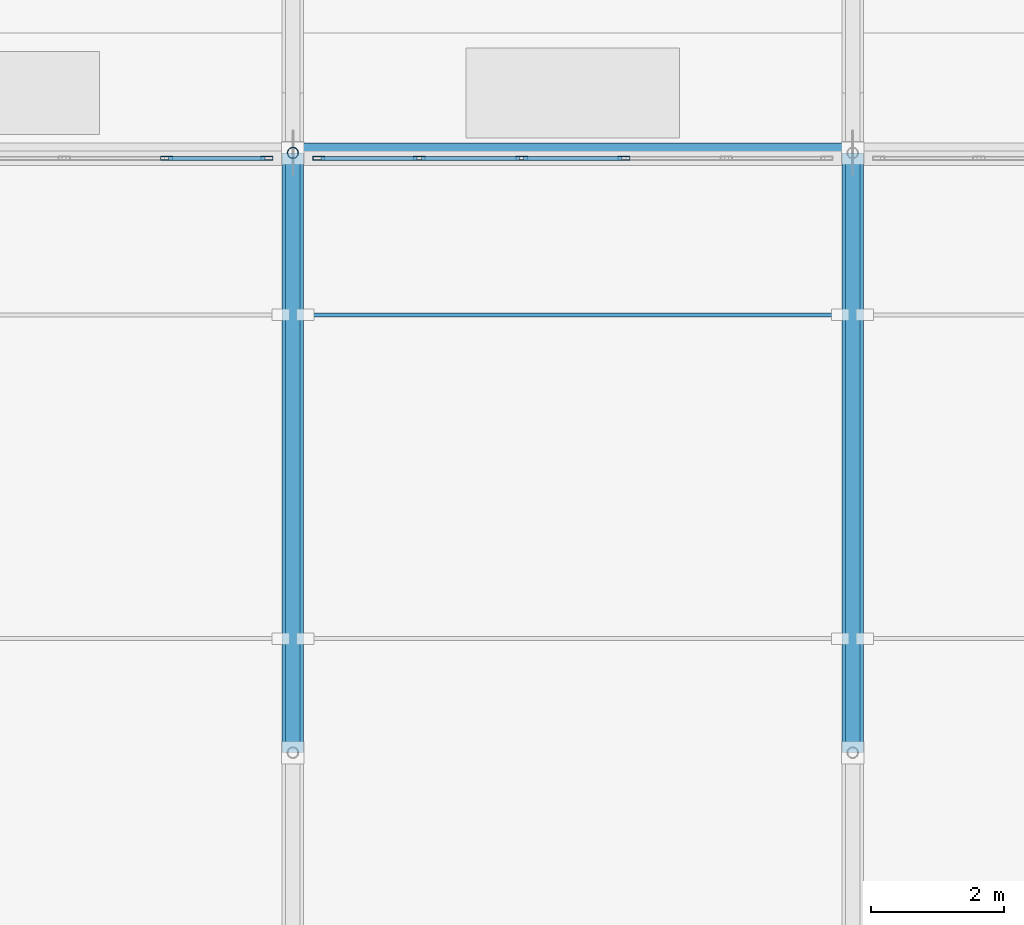
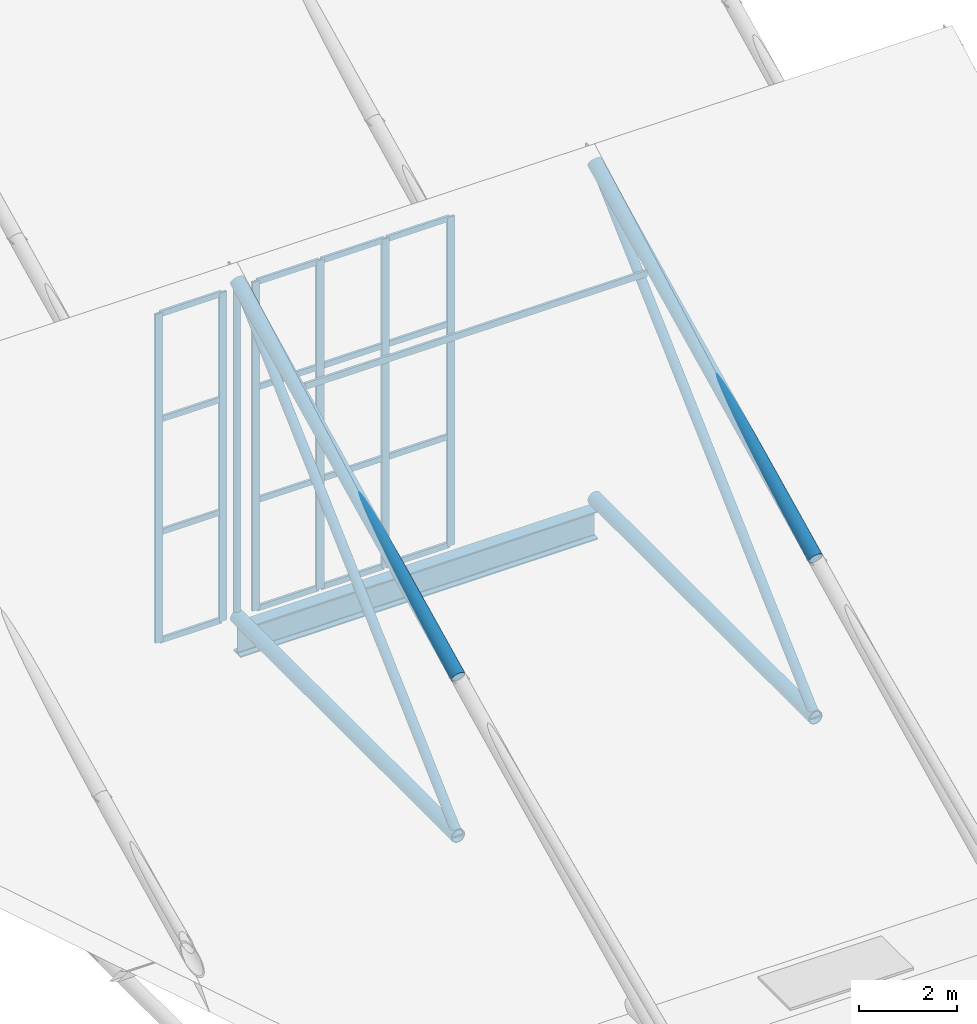
# One storey, part 15 of 38: 30 members, 1 beam, 2 elements without a shape of their own.
"""IFC4 building model written with IfcOpenShell, lengths in metres."""

from ifc_helpers import new_model, si_unit, direction, frame, origin, origin_2d, place, context, subcontext, project, spatial, hollow_rectangle, hollow_circle, i_section, extrude, material, material_profile, profile_set, type_object, element, aggregate, save


model = new_model("IFC4")

# Units and contexts
model_context = context("Model", 3, precision=1e-05, world=origin(), true_north=direction((0.0, 1.0)))
body_context = subcontext(model_context, "Body", "Model", "MODEL_VIEW")
ifc_project = project(units=[si_unit("LENGTHUNIT", "METRE"), si_unit("AREAUNIT", "SQUARE_METRE"), si_unit("VOLUMEUNIT", "CUBIC_METRE"), si_unit("PLANEANGLEUNIT", "RADIAN"), si_unit("MASSUNIT", "GRAM", prefix="KILO")], contexts=[model_context])

# Site, building, storey
site_placement = place(None, origin())
site = spatial("IfcSite", under=ifc_project, at=site_placement, CompositionType="ELEMENT")
building_placement = place(site_placement, origin())
building = spatial("IfcBuilding", under=site, at=building_placement, Name="Veltarok Museum of Natural Sciences", CompositionType="ELEMENT")
storey_placement = place(building_placement, frame((0.0, 0.0, 31.199951171875)))
storey = spatial("IfcBuildingStorey", under=building, at=storey_placement, Name="RF", CompositionType="ELEMENT", Elevation=31.199951171875)

# Beam
ifc_material_1 = material(Name="Steel S355J2", Category="steel")
ifc_material_profile_1 = material_profile(ifc_material_1, i_section(OverallWidth=0.300048828125, OverallDepth=0.699951171875, WebThickness=0.01708984375, FlangeThickness=0.031982421875, FilletRadius=0.027099609375, at=origin_2d()), Name="HEB 700")
ifc_profile_set_1 = profile_set([ifc_material_profile_1], Name="Steel S355J2")
beam_type = type_object("IfcBeamType", Name="Long-Span Hall Girder HEB 700", PredefinedType="BEAM", material=ifc_profile_set_1)
beam_placement = place(storey_placement, frame((82.0, 54.0, -6.389892578125), z_axis=(1.0, 0.0, 0.0), x_axis=(0.0, 1.0, 0.0)))
element("IfcBeam", 1, at=beam_placement, inside=storey, type_object=beam_type, Name="Sawtooth Valley Girder 10-11 Y=54.0", PredefinedType="BEAM", context=body_context, shape_type="SweptSolid", body=[
    extrude(i_section(OverallWidth=0.300048828125, OverallDepth=0.699951171875, WebThickness=0.01708984375, FlangeThickness=0.031982421875, FilletRadius=0.027099609375, at=origin_2d()), origin(), (0.0, 0.0, 1.0), 8.39990234375),
])

# Curtain wall, members
ifc_material_2 = material(Name="Low-iron triple insulated glass", Category="glass")
curtain_wall_type = type_object("IfcCurtainWallType", Name="Curtain Wall System CW-SAW-M1-768x817 (Sawtooth North Clerestory M1 768x817cm)", PredefinedType="NOTDEFINED", material=ifc_material_2)
curtain_wall_1_placement = place(storey_placement, origin())
curtain_wall_1 = element("IfcCurtainWall", 2, at=curtain_wall_1_placement, inside=storey, type_object=curtain_wall_type, Name="Curtain Wall CW-SAW-M1-768x817 CW-SAW-0080", PredefinedType="NOTDEFINED")
ifc_material_3 = material(Name="Thermally broken anodised aluminium", Category="aluminium")
ifc_material_profile_2 = material_profile(ifc_material_3, hollow_rectangle(XDim=0.06005859375, YDim=0.179931640625, WallThickness=0.006103515625, at=origin_2d()), Name="CW MULLION 60x180x6")
ifc_profile_set_2 = profile_set([ifc_material_profile_2], Name="Thermally broken anodised aluminium")
member_type_1 = type_object("IfcMemberType", Name="Sawtooth Clerestory Mullion 60x180x6", PredefinedType="MULLION", material=ifc_profile_set_2)
member_1_placement = place(storey_placement, frame((81.610107421875, 53.919921875, -5.719970703125), z_axis=(0.0, 0.0, 1.0), x_axis=(0.0, -1.0, 0.0)))
member_1 = element("IfcMember", 3, at=member_1_placement, type_object=member_type_1, Name="CW-SAW-M1-768x817 mullion 1", PredefinedType="MULLION", context=body_context, shape_type="SweptSolid", body=[
    extrude(hollow_rectangle(XDim=0.06005859375, YDim=0.179931640625, WallThickness=0.006103515625, at=origin_2d()), origin(), (0.0, 0.0, 1.0), 8.169921875),
])
member_2_placement = place(storey_placement, frame((80.10400390625, 53.919921875, -5.719970703125), z_axis=(0.0, 0.0, 1.0), x_axis=(0.0, -1.0, 0.0)))
member_2 = element("IfcMember", 4, at=member_2_placement, type_object=member_type_1, Name="CW-SAW-M1-768x817 mullion 2", PredefinedType="MULLION", context=body_context, shape_type="SweptSolid", body=[
    extrude(hollow_rectangle(XDim=0.06005859375, YDim=0.179931640625, WallThickness=0.006103515625, at=origin_2d()), origin(), (0.0, 0.0, 1.0), 8.169921875),
])

curtain_wall_2_placement = place(storey_placement, origin())
curtain_wall_2 = element("IfcCurtainWall", 5, at=curtain_wall_2_placement, inside=storey, type_object=curtain_wall_type, Name="Curtain Wall CW-SAW-M1-768x817 CW-SAW-0082", PredefinedType="NOTDEFINED")
member_3_placement = place(storey_placement, frame((86.968017578125, 53.919921875, -5.719970703125), z_axis=(0.0, 0.0, 1.0), x_axis=(0.0, -1.0, 0.0)))
member_3 = element("IfcMember", 6, at=member_3_placement, type_object=member_type_1, Name="CW-SAW-M1-768x817 mullion 3", PredefinedType="MULLION", context=body_context, shape_type="SweptSolid", body=[
    extrude(hollow_rectangle(XDim=0.06005859375, YDim=0.179931640625, WallThickness=0.006103515625, at=origin_2d()), origin(), (0.0, 0.0, 1.0), 8.169921875),
])
member_4_placement = place(storey_placement, frame((85.431884765625, 53.919921875, -5.719970703125), z_axis=(0.0, 0.0, 1.0), x_axis=(0.0, -1.0, 0.0)))
member_4 = element("IfcMember", 7, at=member_4_placement, type_object=member_type_1, Name="CW-SAW-M1-768x817 mullion 4", PredefinedType="MULLION", context=body_context, shape_type="SweptSolid", body=[
    extrude(hollow_rectangle(XDim=0.06005859375, YDim=0.179931640625, WallThickness=0.006103515625, at=origin_2d()), origin(), (0.0, 0.0, 1.0), 8.169921875),
])
member_5_placement = place(storey_placement, frame((83.89599609375, 53.919921875, -5.719970703125), z_axis=(0.0, 0.0, 1.0), x_axis=(0.0, -1.0, 0.0)))
member_5 = element("IfcMember", 8, at=member_5_placement, type_object=member_type_1, Name="CW-SAW-M1-768x817 mullion 5", PredefinedType="MULLION", context=body_context, shape_type="SweptSolid", body=[
    extrude(hollow_rectangle(XDim=0.06005859375, YDim=0.179931640625, WallThickness=0.006103515625, at=origin_2d()), origin(), (0.0, 0.0, 1.0), 8.169921875),
])
member_6_placement = place(storey_placement, frame((82.389892578125, 53.919921875, -5.719970703125), z_axis=(0.0, 0.0, 1.0), x_axis=(0.0, -1.0, 0.0)))
member_6 = element("IfcMember", 9, at=member_6_placement, type_object=member_type_1, Name="CW-SAW-M1-768x817 mullion 6", PredefinedType="MULLION", context=body_context, shape_type="SweptSolid", body=[
    extrude(hollow_rectangle(XDim=0.06005859375, YDim=0.179931640625, WallThickness=0.006103515625, at=origin_2d()), origin(), (0.0, 0.0, 1.0), 8.169921875),
])

# Member
ifc_material_profile_3 = material_profile(ifc_material_3, hollow_rectangle(XDim=0.06005859375, YDim=0.139892578125, WallThickness=0.0048828125, at=origin_2d()), Name="CW TRANSOM 60x140x5")
ifc_profile_set_3 = profile_set([ifc_material_profile_3], Name="Thermally broken anodised aluminium")
member_type_2 = type_object("IfcMemberType", Name="Sawtooth Clerestory Transom 60x140x5", PredefinedType="USERDEFINED", material=ifc_profile_set_3)
member_7_placement = place(storey_placement, frame((81.580078125, 53.919921875, -5.68994140625), z_axis=(-1.0, 0.0, 0.0), x_axis=(0.0, -1.0, 0.0)))
member_7 = element("IfcMember", 10, at=member_7_placement, type_object=member_type_2, Name="CW-SAW-M1-768x817 transom 1.1", ObjectType="TRANSOM", PredefinedType="USERDEFINED", context=body_context, shape_type="SweptSolid", body=[
    extrude(hollow_rectangle(XDim=0.06005859375, YDim=0.139892578125, WallThickness=0.0048828125, at=origin_2d()), origin(), (0.0, 0.0, 1.0), 1.446044921875),
])

member_8_placement = place(storey_placement, frame((81.580078125, 53.919921875, -3.0), z_axis=(-1.0, 0.0, 0.0), x_axis=(0.0, -1.0, 0.0)))
member_8 = element("IfcMember", 11, at=member_8_placement, type_object=member_type_2, Name="CW-SAW-M1-768x817 transom 1.2", ObjectType="TRANSOM", PredefinedType="USERDEFINED", context=body_context, shape_type="SweptSolid", body=[
    extrude(hollow_rectangle(XDim=0.06005859375, YDim=0.139892578125, WallThickness=0.0048828125, at=origin_2d()), origin(), (0.0, 0.0, 1.0), 1.446044921875),
])

member_9_placement = place(storey_placement, frame((81.580078125, 53.919921875, -0.199951171875), z_axis=(-1.0, 0.0, 0.0), x_axis=(0.0, -1.0, 0.0)))
member_9 = element("IfcMember", 12, at=member_9_placement, type_object=member_type_2, Name="CW-SAW-M1-768x817 transom 1.3", ObjectType="TRANSOM", PredefinedType="USERDEFINED", context=body_context, shape_type="SweptSolid", body=[
    extrude(hollow_rectangle(XDim=0.06005859375, YDim=0.139892578125, WallThickness=0.0048828125, at=origin_2d()), origin(), (0.0, 0.0, 1.0), 1.446044921875),
])

member_10_placement = place(storey_placement, frame((81.580078125, 53.919921875, 2.420166015625), z_axis=(-1.0, 0.0, 0.0), x_axis=(0.0, -1.0, 0.0)))
member_10 = element("IfcMember", 13, at=member_10_placement, type_object=member_type_2, Name="CW-SAW-M1-768x817 transom 1.4", ObjectType="TRANSOM", PredefinedType="USERDEFINED", context=body_context, shape_type="SweptSolid", body=[
    extrude(hollow_rectangle(XDim=0.06005859375, YDim=0.139892578125, WallThickness=0.0048828125, at=origin_2d()), origin(), (0.0, 0.0, 1.0), 1.446044921875),
])

aggregate(curtain_wall_1, [member_1, member_2, member_7, member_8, member_9, member_10])

member_11_placement = place(storey_placement, frame((86.93798828125, 53.919921875, -5.68994140625), z_axis=(-1.0, 0.0, 0.0), x_axis=(0.0, -1.0, 0.0)))
member_11 = element("IfcMember", 14, at=member_11_placement, type_object=member_type_2, Name="CW-SAW-M1-768x817 transom 3.1", ObjectType="TRANSOM", PredefinedType="USERDEFINED", context=body_context, shape_type="SweptSolid", body=[
    extrude(hollow_rectangle(XDim=0.06005859375, YDim=0.139892578125, WallThickness=0.0048828125, at=origin_2d()), origin(), (0.0, 0.0, 1.0), 1.47607421875),
])

member_12_placement = place(storey_placement, frame((86.93798828125, 53.919921875, -3.0), z_axis=(-1.0, 0.0, 0.0), x_axis=(0.0, -1.0, 0.0)))
member_12 = element("IfcMember", 15, at=member_12_placement, type_object=member_type_2, Name="CW-SAW-M1-768x817 transom 3.2", ObjectType="TRANSOM", PredefinedType="USERDEFINED", context=body_context, shape_type="SweptSolid", body=[
    extrude(hollow_rectangle(XDim=0.06005859375, YDim=0.139892578125, WallThickness=0.0048828125, at=origin_2d()), origin(), (0.0, 0.0, 1.0), 1.47607421875),
])

member_13_placement = place(storey_placement, frame((86.93798828125, 53.919921875, -0.199951171875), z_axis=(-1.0, 0.0, 0.0), x_axis=(0.0, -1.0, 0.0)))
member_13 = element("IfcMember", 16, at=member_13_placement, type_object=member_type_2, Name="CW-SAW-M1-768x817 transom 3.3", ObjectType="TRANSOM", PredefinedType="USERDEFINED", context=body_context, shape_type="SweptSolid", body=[
    extrude(hollow_rectangle(XDim=0.06005859375, YDim=0.139892578125, WallThickness=0.0048828125, at=origin_2d()), origin(), (0.0, 0.0, 1.0), 1.47607421875),
])

member_14_placement = place(storey_placement, frame((86.93798828125, 53.919921875, 2.420166015625), z_axis=(-1.0, 0.0, 0.0), x_axis=(0.0, -1.0, 0.0)))
member_14 = element("IfcMember", 17, at=member_14_placement, type_object=member_type_2, Name="CW-SAW-M1-768x817 transom 3.4", ObjectType="TRANSOM", PredefinedType="USERDEFINED", context=body_context, shape_type="SweptSolid", body=[
    extrude(hollow_rectangle(XDim=0.06005859375, YDim=0.139892578125, WallThickness=0.0048828125, at=origin_2d()), origin(), (0.0, 0.0, 1.0), 1.47607421875),
])

member_15_placement = place(storey_placement, frame((85.402099609375, 53.919921875, -5.68994140625), z_axis=(-1.0, 0.0, 0.0), x_axis=(0.0, -1.0, 0.0)))
member_15 = element("IfcMember", 18, at=member_15_placement, type_object=member_type_2, Name="CW-SAW-M1-768x817 transom 4.1", ObjectType="TRANSOM", PredefinedType="USERDEFINED", context=body_context, shape_type="SweptSolid", body=[
    extrude(hollow_rectangle(XDim=0.06005859375, YDim=0.139892578125, WallThickness=0.0048828125, at=origin_2d()), origin(), (0.0, 0.0, 1.0), 1.47607421875),
])

member_16_placement = place(storey_placement, frame((85.402099609375, 53.919921875, -3.0), z_axis=(-1.0, 0.0, 0.0), x_axis=(0.0, -1.0, 0.0)))
member_16 = element("IfcMember", 19, at=member_16_placement, type_object=member_type_2, Name="CW-SAW-M1-768x817 transom 4.2", ObjectType="TRANSOM", PredefinedType="USERDEFINED", context=body_context, shape_type="SweptSolid", body=[
    extrude(hollow_rectangle(XDim=0.06005859375, YDim=0.139892578125, WallThickness=0.0048828125, at=origin_2d()), origin(), (0.0, 0.0, 1.0), 1.47607421875),
])

member_17_placement = place(storey_placement, frame((85.402099609375, 53.919921875, -0.199951171875), z_axis=(-1.0, 0.0, 0.0), x_axis=(0.0, -1.0, 0.0)))
member_17 = element("IfcMember", 20, at=member_17_placement, type_object=member_type_2, Name="CW-SAW-M1-768x817 transom 4.3", ObjectType="TRANSOM", PredefinedType="USERDEFINED", context=body_context, shape_type="SweptSolid", body=[
    extrude(hollow_rectangle(XDim=0.06005859375, YDim=0.139892578125, WallThickness=0.0048828125, at=origin_2d()), origin(), (0.0, 0.0, 1.0), 1.47607421875),
])

member_18_placement = place(storey_placement, frame((85.402099609375, 53.919921875, 2.420166015625), z_axis=(-1.0, 0.0, 0.0), x_axis=(0.0, -1.0, 0.0)))
member_18 = element("IfcMember", 21, at=member_18_placement, type_object=member_type_2, Name="CW-SAW-M1-768x817 transom 4.4", ObjectType="TRANSOM", PredefinedType="USERDEFINED", context=body_context, shape_type="SweptSolid", body=[
    extrude(hollow_rectangle(XDim=0.06005859375, YDim=0.139892578125, WallThickness=0.0048828125, at=origin_2d()), origin(), (0.0, 0.0, 1.0), 1.47607421875),
])

member_19_placement = place(storey_placement, frame((83.865966796875, 53.919921875, -5.68994140625), z_axis=(-1.0, 0.0, 0.0), x_axis=(0.0, -1.0, 0.0)))
member_19 = element("IfcMember", 22, at=member_19_placement, type_object=member_type_2, Name="CW-SAW-M1-768x817 transom 5.1", ObjectType="TRANSOM", PredefinedType="USERDEFINED", context=body_context, shape_type="SweptSolid", body=[
    extrude(hollow_rectangle(XDim=0.06005859375, YDim=0.139892578125, WallThickness=0.0048828125, at=origin_2d()), origin(), (0.0, 0.0, 1.0), 1.446044921875),
])

member_20_placement = place(storey_placement, frame((83.865966796875, 53.919921875, -3.0), z_axis=(-1.0, 0.0, 0.0), x_axis=(0.0, -1.0, 0.0)))
member_20 = element("IfcMember", 23, at=member_20_placement, type_object=member_type_2, Name="CW-SAW-M1-768x817 transom 5.2", ObjectType="TRANSOM", PredefinedType="USERDEFINED", context=body_context, shape_type="SweptSolid", body=[
    extrude(hollow_rectangle(XDim=0.06005859375, YDim=0.139892578125, WallThickness=0.0048828125, at=origin_2d()), origin(), (0.0, 0.0, 1.0), 1.446044921875),
])

member_21_placement = place(storey_placement, frame((83.865966796875, 53.919921875, -0.199951171875), z_axis=(-1.0, 0.0, 0.0), x_axis=(0.0, -1.0, 0.0)))
member_21 = element("IfcMember", 24, at=member_21_placement, type_object=member_type_2, Name="CW-SAW-M1-768x817 transom 5.3", ObjectType="TRANSOM", PredefinedType="USERDEFINED", context=body_context, shape_type="SweptSolid", body=[
    extrude(hollow_rectangle(XDim=0.06005859375, YDim=0.139892578125, WallThickness=0.0048828125, at=origin_2d()), origin(), (0.0, 0.0, 1.0), 1.446044921875),
])

member_22_placement = place(storey_placement, frame((83.865966796875, 53.919921875, 2.420166015625), z_axis=(-1.0, 0.0, 0.0), x_axis=(0.0, -1.0, 0.0)))
member_22 = element("IfcMember", 25, at=member_22_placement, type_object=member_type_2, Name="CW-SAW-M1-768x817 transom 5.4", ObjectType="TRANSOM", PredefinedType="USERDEFINED", context=body_context, shape_type="SweptSolid", body=[
    extrude(hollow_rectangle(XDim=0.06005859375, YDim=0.139892578125, WallThickness=0.0048828125, at=origin_2d()), origin(), (0.0, 0.0, 1.0), 1.446044921875),
])

aggregate(curtain_wall_2, [member_3, member_4, member_5, member_6, member_11, member_12, member_13, member_14, member_15, member_16, member_17, member_18, member_19, member_20, member_21, member_22])

# Members
ifc_material_profile_4 = material_profile(ifc_material_1, hollow_rectangle(XDim=0.06005859375, YDim=0.159912109375, WallThickness=0.0048828125, at=origin_2d()), Name="RHS 160x60x5")
ifc_profile_set_4 = profile_set([ifc_material_profile_4], Name="Steel S355J2")
member_type_3 = type_object("IfcMemberType", Name="Sawtooth Roof Purlin RHS 160x60x5", PredefinedType="PURLIN", material=ifc_profile_set_4)
member_23_placement = place(storey_placement, frame((82.179931640625, 51.570068359375, 1.32958984375), z_axis=(1.0, 0.0, 0.0), x_axis=(0.0, 1.0, 0.0)))
element("IfcMember", 26, at=member_23_placement, inside=storey, type_object=member_type_3, Name="Sawtooth Purlin 10-11 M1", PredefinedType="PURLIN", context=body_context, shape_type="SweptSolid", body=[
    extrude(hollow_rectangle(XDim=0.06005859375, YDim=0.159912109375, WallThickness=0.0048828125, at=origin_2d()), origin(), (0.0, 0.0, 1.0), 8.0400390625),
])
ifc_material_4 = material(Name="Oxide-red painted Steel S355J2", Category="steel")
ifc_material_profile_5 = material_profile(ifc_material_4, hollow_circle(Radius=0.161865234375, WallThickness=0.01611328125, at=origin_2d()), Name="CHS 323.9x16")
ifc_profile_set_5 = profile_set([ifc_material_profile_5], Name="Oxide-red painted Steel S355J2")
member_type_4 = type_object("IfcMemberType", Name="Sawtooth Truss Chord CHS 323.9x16", PredefinedType="CHORD", material=ifc_profile_set_5)
member_24_placement = place(storey_placement, frame((82.0, 45.0, -5.800048828125), z_axis=(0.0, 1.0, 0.0), x_axis=(-1.0, 0.0, 0.0)))
element("IfcMember", 27, at=member_24_placement, inside=storey, type_object=member_type_4, Name="Roof Truss Bottom Chord 10 M1", PredefinedType="CHORD", context=body_context, shape_type="SweptSolid", body=[
    extrude(hollow_circle(Radius=0.161865234375, WallThickness=0.01611328125, at=origin_2d()), origin(), (0.0, 0.0, 1.0), 9.0),
])
member_25_placement = place(storey_placement, frame((82.0, 45.0, -1.849853515625), z_axis=(0.0, 0.898388207299, 0.439202264322), x_axis=(-1.0, 0.0, 0.0)))
element("IfcMember", 28, at=member_25_placement, inside=storey, type_object=member_type_4, Name="Roof Truss Top Chord 10 M1", PredefinedType="CHORD", context=body_context, shape_type="SweptSolid", body=[
    extrude(hollow_circle(Radius=0.161865234375, WallThickness=0.01611328125, at=origin_2d()), origin(), (0.0, 0.0, 1.0), 10.017822265625),
])
member_26_placement = place(storey_placement, frame((90.39990234375, 45.0, -5.800048828125), z_axis=(0.0, 1.0, 0.0), x_axis=(-1.0, 0.0, 0.0)))
element("IfcMember", 29, at=member_26_placement, inside=storey, type_object=member_type_4, Name="Roof Truss Bottom Chord 11 M1", PredefinedType="CHORD", context=body_context, shape_type="SweptSolid", body=[
    extrude(hollow_circle(Radius=0.161865234375, WallThickness=0.01611328125, at=origin_2d()), origin(), (0.0, 0.0, 1.0), 9.0),
])
member_27_placement = place(storey_placement, frame((90.39990234375, 45.0, -1.849853515625), z_axis=(0.0, 0.898388207299, 0.439202264322), x_axis=(-1.0, 0.0, 0.0)))
element("IfcMember", 30, at=member_27_placement, inside=storey, type_object=member_type_4, Name="Roof Truss Top Chord 11 M1", PredefinedType="CHORD", context=body_context, shape_type="SweptSolid", body=[
    extrude(hollow_circle(Radius=0.161865234375, WallThickness=0.01611328125, at=origin_2d()), origin(), (0.0, 0.0, 1.0), 10.017822265625),
])
ifc_material_profile_6 = material_profile(ifc_material_4, hollow_circle(Radius=0.084228515625, WallThickness=0.008056640625, at=origin_2d()), Name="CHS 168.3x8")
ifc_profile_set_6 = profile_set([ifc_material_profile_6], Name="Oxide-red painted Steel S355J2")
member_type_5 = type_object("IfcMemberType", Name="Sawtooth Truss Vertical Strut CHS 168.3x8", PredefinedType="STRUT", material=ifc_profile_set_6)
member_28_placement = place(storey_placement, frame((82.0, 54.0, -5.800048828125), z_axis=(0.0, 0.0, 1.0), x_axis=(1.0, 0.0, 0.0)))
element("IfcMember", 31, at=member_28_placement, inside=storey, type_object=member_type_5, Name="Roof Truss Strut 10 M1", PredefinedType="STRUT", context=body_context, shape_type="SweptSolid", body=[
    extrude(hollow_circle(Radius=0.084228515625, WallThickness=0.008056640625, at=origin_2d()), origin(), (0.0, 0.0, 1.0), 8.35009765625),
])
ifc_material_profile_7 = material_profile(ifc_material_4, hollow_circle(Radius=0.109619140625, WallThickness=0.010009765625, at=origin_2d()), Name="CHS 219.1x10")
ifc_profile_set_7 = profile_set([ifc_material_profile_7], Name="Oxide-red painted Steel S355J2")
member_type_6 = type_object("IfcMemberType", Name="Sawtooth Truss Web Diagonal CHS 219.1x10", PredefinedType="BRACE", material=ifc_profile_set_7)
for number, where, z_axis, x_axis, name in (
    (32, (82.0, 45.0, -5.800048828125), (0.0, 0.733079568112, 0.680142887059), (-1.0, 0.0, 0.0), "Roof Truss Diagonal 10 M1"),
    (33, (90.39990234375, 45.0, -5.800048828125), (0.0, 0.733079568112, 0.680142887059), (-1.0, 0.0, 0.0), "Roof Truss Diagonal 11 M1"),
):
    element("IfcMember", number, at=place(storey_placement, frame(where, z_axis=z_axis, x_axis=x_axis)), inside=storey, type_object=member_type_6, Name=name, PredefinedType="BRACE", context=body_context, shape_type="SweptSolid", body=[
        extrude(hollow_circle(Radius=0.109619140625, WallThickness=0.010009765625, at=origin_2d()), origin(), (0.0, 0.0, 1.0), 12.27685546875),
    ])

save(model, "model.ifc")
